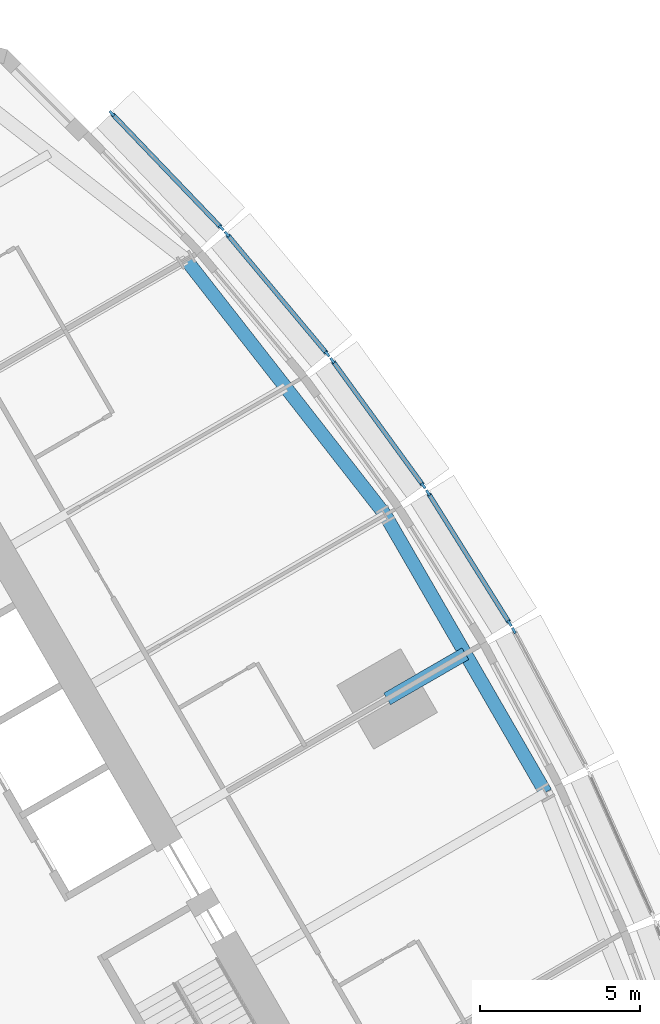
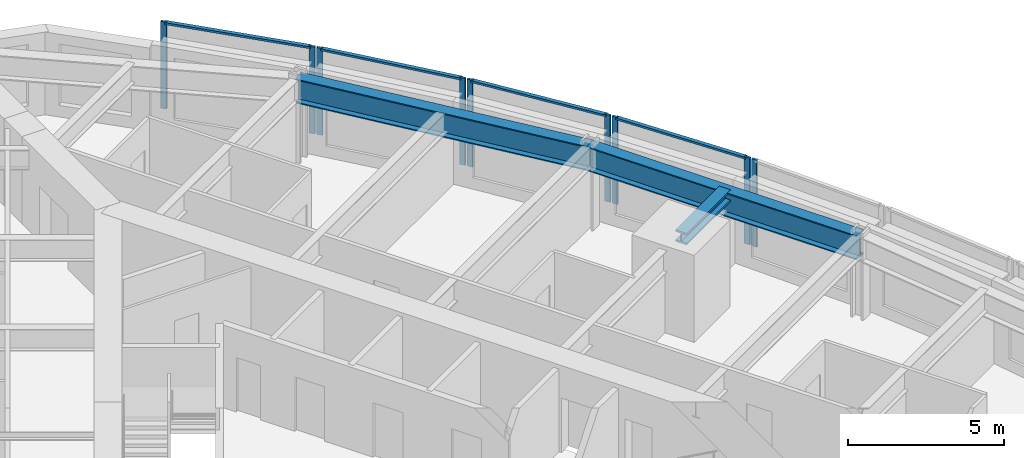
# One storey, part 5 of 14: 13 members, 3 beams, 5 elements without a shape of their own.
"""IFC4 building model written with IfcOpenShell, lengths in metres."""

from ifc_helpers import new_model, si_unit, direction, frame, origin, origin_2d, place, context, subcontext, project, spatial, rectangle, i_section, extrude, material, material_profile, profile_set, type_object, element, aggregate, save


model = new_model("IFC4")

# Units and contexts
model_context = context("Model", 3, precision=1e-05, world=origin(), true_north=direction((0.0, 1.0)))
body_context = subcontext(model_context, "Body", "Model", "MODEL_VIEW")
ifc_project = project(units=[si_unit("LENGTHUNIT", "METRE"), si_unit("AREAUNIT", "SQUARE_METRE"), si_unit("VOLUMEUNIT", "CUBIC_METRE"), si_unit("PLANEANGLEUNIT", "RADIAN"), si_unit("MASSUNIT", "GRAM", prefix="KILO")], contexts=[model_context])

# Site, building, storey
site_placement = place(None, origin())
site = spatial("IfcSite", under=ifc_project, at=site_placement, CompositionType="ELEMENT")
building_placement = place(site_placement, origin())
building = spatial("IfcBuilding", under=site, at=building_placement, Name="Trikona Tower", CompositionType="ELEMENT")
storey_placement = place(building_placement, frame((0.0, 0.0, 182.699951171875)))
storey = spatial("IfcBuildingStorey", under=building, at=storey_placement, Name="L49", CompositionType="ELEMENT", Elevation=182.699951171875)

# Curtain wall, member
ifc_material_1 = material(Name="Aluminium curtain wall system", Category="aluminium")
curtain_wall_type = type_object("IfcCurtainWallType", Name="Curtain wall DS2", PredefinedType="NOTDEFINED", material=ifc_material_1)
curtain_wall_1_placement = place(storey_placement, origin())
curtain_wall_1 = element("IfcCurtainWall", 1, at=curtain_wall_1_placement, inside=storey, type_object=curtain_wall_type, Name="Curtain wall DS2 L49", PredefinedType="NOTDEFINED")
ifc_material_2 = material(Name="Aluminium mullion, pale anodised", Category="aluminium")
ifc_material_profile_1 = material_profile(ifc_material_2, rectangle(XDim=0.080078125, YDim=0.199951171875, at=origin_2d()), Name="MUL-DS2")
ifc_profile_set_1 = profile_set([ifc_material_profile_1], Name="Aluminium mullion, pale anodised")
member_type_1 = type_object("IfcMemberType", Name="Mullion DS2 80x200", PredefinedType="MULLION", material=ifc_profile_set_1)
member_1_placement = place(storey_placement, frame((19.2666015625, 10.9716796875, 0.0), z_axis=(0.0, 0.0, 1.0), x_axis=(-0.882996107343, -0.469380308937, 0.0)))
member_1 = element("IfcMember", 2, at=member_1_placement, type_object=member_type_1, Name="CW-DS2 mullion 2", PredefinedType="MULLION", context=body_context, shape_type="SweptSolid", body=[
    extrude(rectangle(XDim=0.080078125, YDim=0.199951171875, at=origin_2d()), origin(), (0.0, 0.0, 1.0), 3.400146484375),
])
aggregate(curtain_wall_1, [member_1])

# Curtain wall, members
curtain_wall_2_placement = place(storey_placement, origin())
curtain_wall_2 = element("IfcCurtainWall", 3, at=curtain_wall_2_placement, inside=storey, type_object=curtain_wall_type, Name="Curtain wall DS2 L49", PredefinedType="NOTDEFINED")
member_2_placement = place(storey_placement, frame((19.135009765625, 11.199462890625, 0.0), z_axis=(0.0, 0.0, 1.0), x_axis=(-0.847998304006, -0.529998940002, 0.0)))
member_2 = element("IfcMember", 4, at=member_2_placement, type_object=member_type_1, Name="CW-DS2 mullion 1", PredefinedType="MULLION", context=body_context, shape_type="SweptSolid", body=[
    extrude(rectangle(XDim=0.080078125, YDim=0.199951171875, at=origin_2d()), origin(), (0.0, 0.0, 1.0), 3.400146484375),
])
member_3_placement = place(storey_placement, frame((16.589599609375, 15.2724609375, 0.0), z_axis=(0.0, 0.0, 1.0), x_axis=(-0.847998304006, -0.529998940002, 0.0)))
member_3 = element("IfcMember", 5, at=member_3_placement, type_object=member_type_1, Name="CW-DS2 mullion 2", PredefinedType="MULLION", context=body_context, shape_type="SweptSolid", body=[
    extrude(rectangle(XDim=0.080078125, YDim=0.199951171875, at=origin_2d()), origin(), (0.0, 0.0, 1.0), 3.400146484375),
])

curtain_wall_3_placement = place(storey_placement, origin())
curtain_wall_3 = element("IfcCurtainWall", 6, at=curtain_wall_3_placement, inside=storey, type_object=curtain_wall_type, Name="Curtain wall DS2 L49", PredefinedType="NOTDEFINED")
member_4_placement = place(storey_placement, frame((16.442626953125, 15.489990234375, 0.0), z_axis=(0.0, 0.0, 1.0), x_axis=(-0.80908576332, -0.587690588313, 0.0)))
member_4 = element("IfcMember", 7, at=member_4_placement, type_object=member_type_1, Name="CW-DS2 mullion 1", PredefinedType="MULLION", context=body_context, shape_type="SweptSolid", body=[
    extrude(rectangle(XDim=0.080078125, YDim=0.199951171875, at=origin_2d()), origin(), (0.0, 0.0, 1.0), 3.400146484375),
])
member_5_placement = place(storey_placement, frame((13.605712890625, 19.39599609375, 0.0), z_axis=(0.0, 0.0, 1.0), x_axis=(-0.80908576332, -0.587690588313, 0.0)))
member_5 = element("IfcMember", 8, at=member_5_placement, type_object=member_type_1, Name="CW-DS2 mullion 2", PredefinedType="MULLION", context=body_context, shape_type="SweptSolid", body=[
    extrude(rectangle(XDim=0.080078125, YDim=0.199951171875, at=origin_2d()), origin(), (0.0, 0.0, 1.0), 3.400146484375),
])

curtain_wall_4_placement = place(storey_placement, origin())
curtain_wall_4 = element("IfcCurtainWall", 9, at=curtain_wall_4_placement, inside=storey, type_object=curtain_wall_type, Name="Curtain wall DS2 L49", PredefinedType="NOTDEFINED")
member_6_placement = place(storey_placement, frame((13.44482421875, 19.602294921875, 0.0), z_axis=(0.0, 0.0, 1.0), x_axis=(-0.766866678271, -0.641806433248, 0.0)))
member_6 = element("IfcMember", 10, at=member_6_placement, type_object=member_type_1, Name="CW-DS2 mullion 1", PredefinedType="MULLION", context=body_context, shape_type="SweptSolid", body=[
    extrude(rectangle(XDim=0.080078125, YDim=0.199951171875, at=origin_2d()), origin(), (0.0, 0.0, 1.0), 3.400146484375),
])
member_7_placement = place(storey_placement, frame((10.315185546875, 23.34130859375, 0.0), z_axis=(0.0, 0.0, 1.0), x_axis=(-0.766866678271, -0.641806433248, 0.0)))
member_7 = element("IfcMember", 11, at=member_7_placement, type_object=member_type_1, Name="CW-DS2 mullion 2", PredefinedType="MULLION", context=body_context, shape_type="SweptSolid", body=[
    extrude(rectangle(XDim=0.080078125, YDim=0.199951171875, at=origin_2d()), origin(), (0.0, 0.0, 1.0), 3.400146484375),
])

curtain_wall_5_placement = place(storey_placement, origin())
curtain_wall_5 = element("IfcCurtainWall", 12, at=curtain_wall_5_placement, inside=storey, type_object=curtain_wall_type, Name="Curtain wall DS2 L49", PredefinedType="NOTDEFINED")
member_8_placement = place(storey_placement, frame((10.1416015625, 23.535400390625, 0.0), z_axis=(0.0, 0.0, 1.0), x_axis=(-0.722158330767, -0.691727797117, 0.0)))
member_8 = element("IfcMember", 13, at=member_8_placement, type_object=member_type_1, Name="CW-DS2 mullion 1", PredefinedType="MULLION", context=body_context, shape_type="SweptSolid", body=[
    extrude(rectangle(XDim=0.080078125, YDim=0.199951171875, at=origin_2d()), origin(), (0.0, 0.0, 1.0), 3.400146484375),
])
member_9_placement = place(storey_placement, frame((6.718994140625, 27.1083984375, 0.0), z_axis=(0.0, 0.0, 1.0), x_axis=(-0.722158330767, -0.691727797117, 0.0)))
member_9 = element("IfcMember", 14, at=member_9_placement, type_object=member_type_1, Name="CW-DS2 mullion 2", PredefinedType="MULLION", context=body_context, shape_type="SweptSolid", body=[
    extrude(rectangle(XDim=0.080078125, YDim=0.199951171875, at=origin_2d()), origin(), (0.0, 0.0, 1.0), 3.400146484375),
])

# Beams
ifc_material_3 = material(Name="Steel ASTM A992 Grade 50", Category="steel")
ifc_material_profile_2 = material_profile(ifc_material_3, i_section(OverallWidth=0.419189453125, OverallDepth=0.45458984375, WebThickness=0.042236328125, FlangeThickness=0.067626953125, at=origin_2d()), Name="W14X370")
ifc_profile_set_2 = profile_set([ifc_material_profile_2], Name="Steel ASTM A992 Grade 50")
beam_type_1 = type_object("IfcBeamType", Name="Steel beam W14x370 (apex bracket)", PredefinedType="BEAM", material=ifc_profile_set_2)
beam_1_placement = place(storey_placement, frame((15.311767578125, 8.84033203125, 3.0078125), z_axis=(0.86605005072, 0.499957307824, 0.0), x_axis=(-0.499957307824, 0.86605005072, 0.0)))
element("IfcBeam", 15, at=beam_1_placement, inside=storey, type_object=beam_type_1, Name="Cantilever bracket L50 F2", PredefinedType="BEAM", context=body_context, shape_type="SweptSolid", body=[
    extrude(i_section(OverallWidth=0.419189453125, OverallDepth=0.45458984375, WebThickness=0.042236328125, FlangeThickness=0.067626953125, at=origin_2d()), origin(), (0.0, 0.0, 1.0), 2.819580078125),
])
ifc_material_4 = material(Name="Steel ASTM A992 Grade 50", Category="steel")
ifc_material_profile_3 = material_profile(ifc_material_4, i_section(OverallWidth=0.424072265625, OverallDepth=0.947509765625, WebThickness=0.02392578125, FlangeThickness=0.042724609375, at=origin_2d()), Name="W36X302")
ifc_profile_set_3 = profile_set([ifc_material_profile_3], Name="Steel ASTM A992 Grade 50")
beam_type_2 = type_object("IfcBeamType", Name="Steel beam W36x302 (spandrel)", PredefinedType="SPANDREL", material=ifc_profile_set_3)
beam_2_placement = place(storey_placement, frame((20.253662109375, 5.919921875, 2.76123046875), z_axis=(-0.500004234368, 0.866022959057, 0.0), x_axis=(-0.866022959057, -0.500004234368, 0.0)))
element("IfcBeam", 16, at=beam_2_placement, inside=storey, type_object=beam_type_2, Name="Spandrel beam L50 F2-3", PredefinedType="SPANDREL", context=body_context, shape_type="SweptSolid", body=[
    extrude(i_section(OverallWidth=0.424072265625, OverallDepth=0.947509765625, WebThickness=0.02392578125, FlangeThickness=0.042724609375, at=origin_2d()), origin(), (0.0, 0.0, 1.0), 10.0),
])
beam_3_placement = place(storey_placement, frame((15.253662109375, 14.580078125, 2.76123046875), z_axis=(-0.615232009054, 0.788346101046, 0.0), x_axis=(-0.788346101046, -0.615232009054, 0.0)))
element("IfcBeam", 17, at=beam_3_placement, inside=storey, type_object=beam_type_2, Name="Spandrel beam L50 F2-4", PredefinedType="SPANDREL", context=body_context, shape_type="SweptSolid", body=[
    extrude(i_section(OverallWidth=0.424072265625, OverallDepth=0.947509765625, WebThickness=0.02392578125, FlangeThickness=0.042724609375, at=origin_2d()), origin(), (0.0, 0.0, 1.0), 10.09765625),
])

# Member
ifc_material_5 = material(Name="Aluminium transom, pale anodised", Category="aluminium")
ifc_material_profile_4 = material_profile(ifc_material_5, rectangle(XDim=0.139892578125, YDim=0.080078125, at=origin_2d()), Name="TRN-DS2")
ifc_profile_set_4 = profile_set([ifc_material_profile_4], Name="Aluminium transom, pale anodised")
member_type_2 = type_object("IfcMemberType", Name="Transom DS2 80x140", PredefinedType="USERDEFINED", material=ifc_profile_set_4)
member_10_placement = place(storey_placement, frame((19.114013671875, 11.2333984375, 3.360107421875), z_axis=(-0.530031463794, 0.847977975769, 0.0), x_axis=(-0.847977975769, -0.530031463794, 0.0)))
member_10 = element("IfcMember", 18, at=member_10_placement, type_object=member_type_2, Name="CW-DS2 transom 1.1", ObjectType="TRANSOM", PredefinedType="USERDEFINED", context=body_context, shape_type="SweptSolid", body=[
    extrude(rectangle(XDim=0.139892578125, YDim=0.080078125, at=origin_2d()), origin(), (0.0, 0.0, 1.0), 4.72314453125),
])

aggregate(curtain_wall_2, [member_2, member_3, member_10])

member_11_placement = place(storey_placement, frame((16.419189453125, 15.5224609375, 3.360107421875), z_axis=(-0.587694585883, 0.809082859616, 0.0), x_axis=(-0.809082859616, -0.587694585883, 0.0)))
member_11 = element("IfcMember", 19, at=member_11_placement, type_object=member_type_2, Name="CW-DS2 transom 1.1", ObjectType="TRANSOM", PredefinedType="USERDEFINED", context=body_context, shape_type="SweptSolid", body=[
    extrude(rectangle(XDim=0.139892578125, YDim=0.080078125, at=origin_2d()), origin(), (0.0, 0.0, 1.0), 4.747314453125),
])

aggregate(curtain_wall_3, [member_4, member_5, member_11])

member_12_placement = place(storey_placement, frame((13.4189453125, 19.6328125, 3.360107421875), z_axis=(-0.641770294892, 0.766896921753, 0.0), x_axis=(-0.766896921753, -0.641770294892, 0.0)))
member_12 = element("IfcMember", 20, at=member_12_placement, type_object=member_type_2, Name="CW-DS2 transom 1.1", ObjectType="TRANSOM", PredefinedType="USERDEFINED", context=body_context, shape_type="SweptSolid", body=[
    extrude(rectangle(XDim=0.139892578125, YDim=0.080078125, at=origin_2d()), origin(), (0.0, 0.0, 1.0), 4.7958984375),
])

aggregate(curtain_wall_4, [member_6, member_7, member_12])

member_13_placement = place(storey_placement, frame((10.114013671875, 23.564208984375, 3.360107421875), z_axis=(-0.691721246785, 0.722164605022, 0.0), x_axis=(-0.722164605022, -0.691721246785, 0.0)))
member_13 = element("IfcMember", 21, at=member_13_placement, type_object=member_type_2, Name="CW-DS2 transom 1.1", ObjectType="TRANSOM", PredefinedType="USERDEFINED", context=body_context, shape_type="SweptSolid", body=[
    extrude(rectangle(XDim=0.139892578125, YDim=0.080078125, at=origin_2d()), origin(), (0.0, 0.0, 1.0), 4.867919921875),
])

aggregate(curtain_wall_5, [member_8, member_9, member_13])

save(model, "model.ifc")
